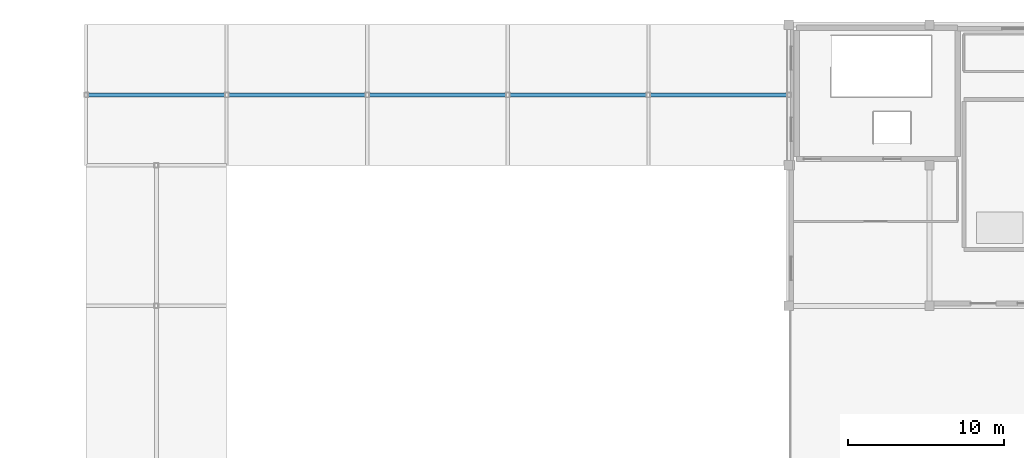
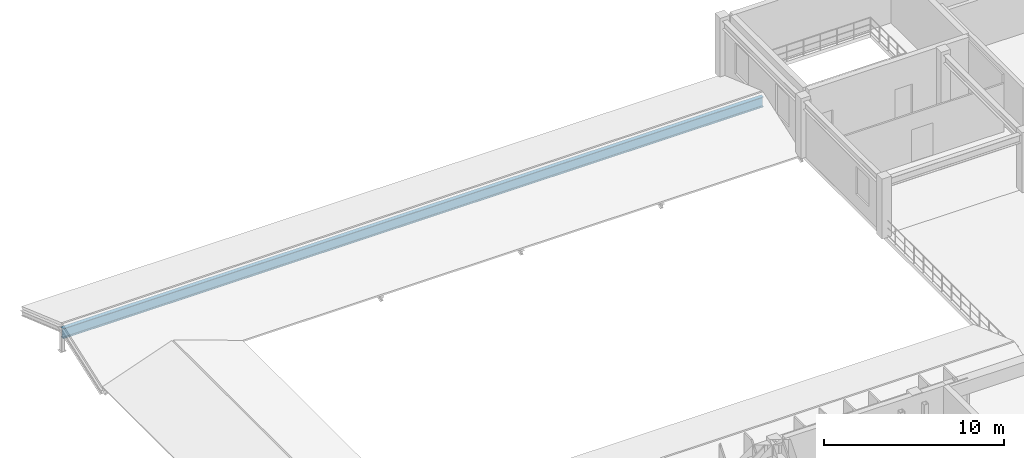
# One storey, part 48 of 80: 1 beam.
"""IFC4 building model written with IfcOpenShell, lengths in metres."""

import ifcopenshell
import ifcopenshell.guid

model = None  # the IFC model being written
_history = None  # IfcOwnerHistory: only IFC2X3 demands one
_inside = {}  # id of a spatial element -> (the spatial element, [elements in it])
_under = {}  # id of a project, library or spatial element -> (it, [spatial elements below it])
_declared = {}  # id of a project -> (the project, [libraries it declares])
_typed = {}  # id of a type object -> (the type object, [elements of that type])
_made_of = {}  # id of a material, layer set ... -> (it, [elements and type objects made of it])


def new_model(schema):
    """Start an empty IFC model of exactly this schema.

    Asked for "IFC4X3", IfcOpenShell would pick the latest addendum, in which some entities
    have other attributes; the version numbers below select the first issue.
    IFC2X3 requires an IfcOwnerHistory on every rooted entity: one is made here for all.
    """
    global model, _history
    if schema == "IFC4X3":
        model = ifcopenshell.file(schema_version=(4, 3, 0, 0))
    else:
        model = ifcopenshell.file(schema=schema)
    _inside.clear()
    _under.clear()
    _declared.clear()
    _typed.clear()
    _made_of.clear()
    _history = None
    if model.schema == "IFC2X3":
        org = make("IfcOrganization", Name="unknown")
        user = make(
            "IfcPersonAndOrganization",
            ThePerson=make("IfcPerson", FamilyName="unknown"),
            TheOrganization=org,
        )
        app = make(
            "IfcApplication",
            ApplicationDeveloper=org,
            Version="unknown",
            ApplicationFullName="unknown",
            ApplicationIdentifier="unknown",
        )
        _history = make(
            "IfcOwnerHistory",
            OwningUser=user,
            OwningApplication=app,
            ChangeAction="ADDED",
            CreationDate=0,
        )
    return model


def make(cls, **values):
    """One entity of the class cls with the attributes given. An attribute that is None is left unset."""
    return model.create_entity(
        cls, **{name: value for name, value in values.items() if value is not None}
    )


def rooted(cls, **values):
    """An entity with a GlobalId (a new one), such as an element, a storey or a relation."""
    return make(cls, GlobalId=ifcopenshell.guid.new(), OwnerHistory=_history, **values)


def si_unit(unit_type, name, prefix=None):
    """IfcSIUnit, for example si_unit("LENGTHUNIT", "METRE", prefix="MILLI")."""
    return make("IfcSIUnit", UnitType=unit_type, Prefix=prefix, Name=name)


def assignment(units):
    """IfcUnitAssignment: the units of a project."""
    return None if units is None else make("IfcUnitAssignment", Units=units)


def point(xyz):
    """IfcCartesianPoint."""
    return None if xyz is None else make("IfcCartesianPoint", Coordinates=xyz)


def direction(xyz):
    """IfcDirection."""
    return None if xyz is None else make("IfcDirection", DirectionRatios=xyz)


def frame(location, z_axis=None, x_axis=None):
    """IfcAxis2Placement3D, a coordinate frame: its origin and axes. An axis left out is left unset."""
    return make(
        "IfcAxis2Placement3D",
        Location=point(location),
        Axis=direction(z_axis),
        RefDirection=direction(x_axis),
    )


def frame_2d(location, x_axis=None):
    """IfcAxis2Placement2D, a coordinate frame in the plane: its origin and x axis."""
    return make(
        "IfcAxis2Placement2D", Location=point(location), RefDirection=direction(x_axis)
    )


def origin():
    """The frame at (0, 0, 0) with its axes left unset."""
    return frame((0.0, 0.0, 0.0))


def origin_2d():
    """The frame at (0, 0) in the plane with its x axis left unset."""
    return frame_2d((0.0, 0.0))


def place(relative_to, where):
    """IfcLocalPlacement: puts the frame where relative to a parent placement (None: the world)."""
    return make(
        "IfcLocalPlacement", PlacementRelTo=relative_to, RelativePlacement=where
    )


def context(
    kind, dimensions, precision=None, world=None, true_north=None, identifier=None
):
    """IfcGeometricRepresentationContext, for example the 3D "Model" context."""
    return make(
        "IfcGeometricRepresentationContext",
        ContextIdentifier=identifier,
        ContextType=kind,
        CoordinateSpaceDimension=dimensions,
        Precision=precision,
        WorldCoordinateSystem=world,
        TrueNorth=true_north,
    )


def subcontext(parent, identifier, kind, view, scale=None):
    """IfcGeometricRepresentationSubContext, for example "Body" below "Model"."""
    return make(
        "IfcGeometricRepresentationSubContext",
        ContextIdentifier=identifier,
        ContextType=kind,
        ParentContext=parent,
        TargetScale=scale,
        TargetView=view,
    )


def project(units=None, contexts=None):
    """IfcProject with its units and contexts."""
    return rooted(
        "IfcProject",
        Name="project",
        RepresentationContexts=contexts,
        UnitsInContext=assignment(units),
    )


def spatial(cls, under=None, at=None, **own):
    """A site, building, storey or space (cls), placed at a placement, below another one or the project."""
    s = rooted(cls, ObjectPlacement=at, **own)
    if under is not None:
        _under.setdefault(under.id(), (under, []))[1].append(s)
    return s


def profile(cls, at=None, kind="AREA", **sizes):
    """A parametric profile (cls). Its sizes go by their IFC names, for example OverallWidth=200.0."""
    return make(cls, ProfileType=kind, Position=at, **sizes)


def i_section(**sizes):
    """IfcIShapeProfileDef."""
    return profile("IfcIShapeProfileDef", **sizes)


def extrude(swept, where, along, depth):
    """IfcExtrudedAreaSolid: the profile swept, set in the frame where, extruded along a direction by depth."""
    return make(
        "IfcExtrudedAreaSolid",
        SweptArea=swept,
        Position=where,
        ExtrudedDirection=direction(along),
        Depth=depth,
    )


def shape(context_of_items, identifier, shape_type, items):
    """IfcShapeRepresentation: the items that make up one representation, for example the "Body"."""
    return make(
        "IfcShapeRepresentation",
        ContextOfItems=context_of_items,
        RepresentationIdentifier=identifier,
        RepresentationType=shape_type,
        Items=items,
    )


def material(Name=None, Category=None):
    """IfcMaterial."""
    return make("IfcMaterial", Name=Name, Category=Category)


def material_profile(
    of_material, cross_section, Name=None, Category=None, Priority=None
):
    """IfcMaterialProfile: a cross section and its material."""
    return make(
        "IfcMaterialProfile",
        Name=Name,
        Material=of_material,
        Profile=cross_section,
        Priority=Priority,
        Category=Category,
    )


def profile_set(profiles, Name=None, composite=None):
    """IfcMaterialProfileSet."""
    return make(
        "IfcMaterialProfileSet",
        Name=Name,
        MaterialProfiles=profiles,
        CompositeProfile=composite,
    )


def made_of(thing, what):
    """Note that an element or type object is made of a material, layer set ...; save() writes the relation."""
    if what is not None:
        _made_of.setdefault(what.id(), (what, []))[1].append(thing)
    return thing


def type_object(cls, material=None, **own):
    """A type object (cls), such as IfcWallType, which elements share."""
    return made_of(rooted(cls, **own), material)


def element(
    cls,
    number,
    at=None,
    inside=None,
    cuts=None,
    type_object=None,
    material=None,
    context=None,
    identifier="Body",
    shape_type=None,
    held_by="IfcProductDefinitionShape",
    body=None,
    shapes=None,
    **own,
):
    """One element of the class cls, such as IfcWall. Its Tag is "e" and its number.

    at: its placement. inside: the storey or other place that contains it. cuts: it is an
    opening in that element (IfcRelVoidsElement). A single representation is given by context,
    identifier, shape_type and body (its items); several are given by shapes. held_by: the class
    of the entity that holds the representations. save() writes the other relations.
    """
    e = rooted(cls, Tag="e%d" % number, ObjectPlacement=at, **own)
    if body is not None:
        shapes = [shape(context, identifier, shape_type, body)]
    if shapes is not None:
        e.Representation = make(held_by, Representations=shapes)
    if inside is not None:
        _inside.setdefault(inside.id(), (inside, []))[1].append(e)
    if cuts is not None:
        rooted(
            "IfcRelVoidsElement", RelatingBuildingElement=cuts, RelatedOpeningElement=e
        )
    if type_object is not None:
        _typed.setdefault(type_object.id(), (type_object, []))[1].append(e)
    return made_of(e, material)


def aggregate(whole, parts):
    """IfcRelAggregates: a whole, such as a stair, and the parts it consists of."""
    return rooted("IfcRelAggregates", RelatingObject=whole, RelatedObjects=parts)


def save(model, path):
    """Write the relations noted so far, then the file.

    IfcRelAggregates (storeys below a building ...), IfcRelContainedInSpatialStructure (elements
    in a storey), IfcRelDefinesByType, IfcRelAssociatesMaterial and IfcRelDeclares: one each for
    every whole, place, type object, material and project.
    """
    for whole, parts in _under.values():
        aggregate(whole, parts)
    for where, things in _inside.values():
        rooted(
            "IfcRelContainedInSpatialStructure",
            RelatedElements=things,
            RelatingStructure=where,
        )
    for kind, things in _typed.values():
        rooted("IfcRelDefinesByType", RelatedObjects=things, RelatingType=kind)
    for what, things in _made_of.values():
        rooted("IfcRelAssociatesMaterial", RelatedObjects=things, RelatingMaterial=what)
    for by, libraries in _declared.values():
        rooted("IfcRelDeclares", RelatingContext=by, RelatedDefinitions=libraries)
    model.write(path)


model = new_model("IFC4")

# Units and contexts
model_context = context("Model", 3, precision=1e-05, world=origin(), true_north=direction((0.0, 1.0)))
body_context = subcontext(model_context, "Body", "Model", "MODEL_VIEW")
ifc_project = project(units=[si_unit("LENGTHUNIT", "METRE"), si_unit("AREAUNIT", "SQUARE_METRE"), si_unit("VOLUMEUNIT", "CUBIC_METRE"), si_unit("PLANEANGLEUNIT", "RADIAN"), si_unit("MASSUNIT", "GRAM", prefix="KILO")], contexts=[model_context])

# Site, building, storey
site_placement = place(None, origin())
site = spatial("IfcSite", under=ifc_project, at=site_placement, CompositionType="ELEMENT")
building_placement = place(site_placement, origin())
building = spatial("IfcBuilding", under=site, at=building_placement, Name="Miravela Opera House", CompositionType="ELEMENT")
storey_placement = place(building_placement, frame((0.0, 0.0, 17.679931640625)))
storey = spatial("IfcBuildingStorey", under=building, at=storey_placement, Name="L04", CompositionType="ELEMENT", Elevation=17.679931640625)

# Beam
ifc_material = material(Name="Structural steel ASTM A992 Gr. 50", Category="steel")
ifc_material_profile = material_profile(ifc_material, i_section(OverallWidth=0.256103515625, OverallDepth=0.693115234375, WebThickness=0.014404296875, FlangeThickness=0.023681640625, FilletRadius=0.01806640625, at=origin_2d()), Name="W690X170")
ifc_profile_set = profile_set([ifc_material_profile])
beam_type = type_object("IfcBeamType", Name="STR-BM-W690X170", PredefinedType="BEAM", material=ifc_profile_set)
beam_placement = place(storey_placement, frame((18.0, 107.5, 0.93359375), z_axis=(1.0, 0.0, 0.0), x_axis=(0.0, 1.0, 0.0)))
element("IfcBeam", 1, at=beam_placement, inside=storey, type_object=beam_type, Name="Clay Tile Roof Ridge Beam ROOF-V3-WEST-N", PredefinedType="BEAM", context=body_context, shape_type="SweptSolid", body=[
    extrude(i_section(OverallWidth=0.256103515625, OverallDepth=0.693115234375, WebThickness=0.014404296875, FlangeThickness=0.023681640625, FilletRadius=0.01806640625, at=origin_2d()), origin(), (0.0, 0.0, 1.0), 45.0),
])

save(model, "model.ifc")
